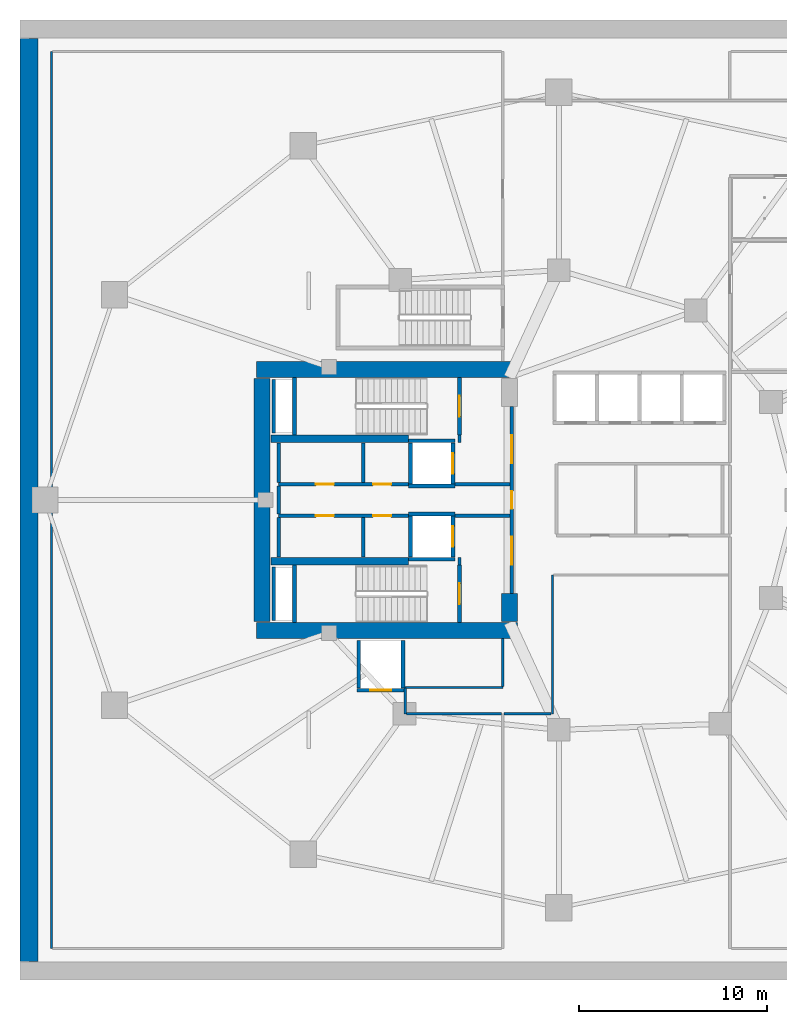
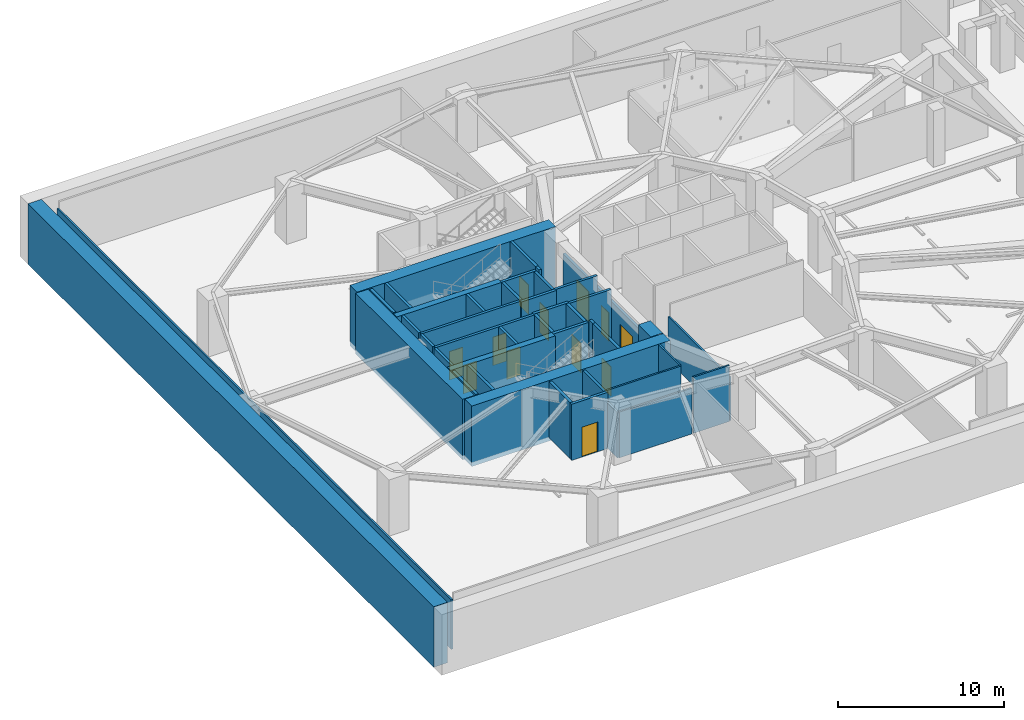
# One storey, part 4 of 16: 43 walls, 12 doors, 12 openings.
"""IFC4 building model written with IfcOpenShell, lengths in metres."""

from ifc_helpers import new_model, si_unit, direction, frame, frame_2d, origin, place, context, subcontext, project, spatial, rectangle, extrude, material, layer, layer_set, type_object, element, fill, save


model = new_model("IFC4")

# Units and contexts
model_context = context("Model", 3, precision=1e-05, world=origin(), true_north=direction((0.0, 1.0)))
body_context = subcontext(model_context, "Body", "Model", "MODEL_VIEW")
ifc_project = project(units=[si_unit("LENGTHUNIT", "METRE"), si_unit("AREAUNIT", "SQUARE_METRE"), si_unit("VOLUMEUNIT", "CUBIC_METRE"), si_unit("PLANEANGLEUNIT", "RADIAN"), si_unit("MASSUNIT", "GRAM", prefix="KILO")], contexts=[model_context])

# Site, building, storey
site_placement = place(None, origin())
site = spatial("IfcSite", under=ifc_project, at=site_placement, CompositionType="ELEMENT")
building_placement = place(site_placement, origin())
building = spatial("IfcBuilding", under=site, at=building_placement, Name="Kolvaren Gate Tower and Convention Centre", CompositionType="ELEMENT")
storey_placement = place(building_placement, frame((0.0, 0.0, -4.5)))
storey = spatial("IfcBuildingStorey", under=building, at=storey_placement, Name="B1", CompositionType="ELEMENT", Elevation=-4.5)

# Walls
ifc_material_1 = material(Name="Autoclaved Aerated Masonry Blockwork Class 4 (4.0 MPa)", Category="masonry")
ifc_layer_1 = layer(ifc_material_1, 0.179931640625)
ifc_layer_set_1 = layer_set([ifc_layer_1], Name="Autoclaved Aerated Masonry Blockwork Class 4 (4.0 MPa)")
wall_type_1 = type_object("IfcWallType", Name="ARCH-WL-COMP-180", PredefinedType="SOLIDWALL", material=ifc_layer_set_1)
for number, where, z_axis, x_axis, name in (
    (1, (24.85009765625, 23.5400390625, 0.0), (0.0, 0.0, 1.0), (0.0, 1.0, 0.0), "Interior Partition WL-B1-INT-001"),
    (2, (24.85009765625, 30.0400390625, 0.0), (0.0, 0.0, 1.0), (0.0, 1.0, 0.0), "Interior Partition WL-B1-INT-002"),
):
    element("IfcWall", number, at=place(storey_placement, frame(where, z_axis=z_axis, x_axis=x_axis)), inside=storey, type_object=wall_type_1, Name=name, PredefinedType="SOLIDWALL", context=body_context, shape_type="SweptSolid", body=[
        extrude(rectangle(XDim=0.419921875, YDim=0.179931640625, at=frame_2d((0.2099609375, 0.0))), origin(), (0.0, 0.0, 1.0), 4.139892578125),
    ])

# Wall, openings, doors
wall_1_placement = place(storey_placement, frame((27.6201171875, 22.050048828125, 0.0), z_axis=(0.0, 0.0, 1.0), x_axis=(0.0, 1.0, 0.0)))
wall_1 = element("IfcWall", 3, at=wall_1_placement, inside=storey, type_object=wall_type_1, Name="Interior Partition WL-B1-INT-003", PredefinedType="SOLIDWALL", context=body_context, shape_type="SweptSolid", body=[
    extrude(rectangle(XDim=9.89990234375, YDim=0.179931640625, at=frame_2d((4.949951171875, 0.0))), origin(), (0.0, 0.0, 1.0), 3.23193359375),
])
opening_1_placement = place(wall_1_placement, frame((4.47509765625, 0.0, 0.0)))
opening_1 = element("IfcOpeningElement", 4, at=opening_1_placement, cuts=wall_1, Name="Opening DR-01", PredefinedType="OPENING", context=body_context, shape_type="SweptSolid", body=[
    extrude(rectangle(XDim=0.949951171875, YDim=2.10009765625, at=frame_2d((0.47509765625, 1.050048828125))), frame((0.0, 0.099853515625, 0.0), z_axis=(0.0, -1.0, 0.0), x_axis=(1.0, 0.0, 0.0)), (0.0, 0.0, 1.0), 0.199951171875),
])
opening_2_placement = place(wall_1_placement, frame((6.889892578125, 0.0, 0.0)))
opening_2 = element("IfcOpeningElement", 5, at=opening_2_placement, cuts=wall_1, Name="Opening DL-01", PredefinedType="OPENING", context=body_context, shape_type="SweptSolid", body=[
    extrude(rectangle(XDim=1.5, YDim=2.199951171875, at=frame_2d((0.75, 1.10009765625))), frame((0.0, 0.099853515625, 0.0), z_axis=(0.0, -1.0, 0.0), x_axis=(1.0, 0.0, 0.0)), (0.0, 0.0, 1.0), 0.199951171875),
])
opening_3_placement = place(wall_1_placement, frame((1.510009765625, 0.0, 0.0)))
opening_3 = element("IfcOpeningElement", 6, at=opening_3_placement, cuts=wall_1, Name="Opening DL-01", PredefinedType="OPENING", context=body_context, shape_type="SweptSolid", body=[
    extrude(rectangle(XDim=1.5, YDim=2.199951171875, at=frame_2d((0.75, 1.10009765625))), frame((0.0, 0.099853515625, 0.0), z_axis=(0.0, -1.0, 0.0), x_axis=(1.0, 0.0, 0.0)), (0.0, 0.0, 1.0), 0.199951171875),
])
ifc_material_2 = material(Name="Painted Architectural Steelwork ASTM A500 Grade C 345 MPa", Category="steel")
door_type_1 = type_object("IfcDoorType", Name="ARCH-DR-LOBBY-1500", OperationType="DOUBLE_DOOR_SINGLE_SWING", PredefinedType="DOOR", material=ifc_material_2)
door_1_placement = place(opening_2_placement, origin())
door_1 = element("IfcDoor", 7, at=door_1_placement, inside=storey, type_object=door_type_1, Name="North Firefighting Stair and Lift Lobby Door", OperationType="DOUBLE_DOOR_SINGLE_SWING", OverallHeight=2.199951171875, OverallWidth=1.5, PredefinedType="DOOR", context=body_context, shape_type="SweptSolid", body=[
    extrude(rectangle(XDim=1.5, YDim=2.199951171875, at=frame_2d((0.75, 1.10009765625))), frame((0.0, 0.02490234375, 0.0), z_axis=(0.0, -1.0, 0.0), x_axis=(1.0, 0.0, 0.0)), (0.0, 0.0, 1.0), 0.050048828125),
])
fill(opening_2, door_1)
door_2_placement = place(opening_3_placement, origin())
door_2 = element("IfcDoor", 8, at=door_2_placement, inside=storey, type_object=door_type_1, Name="South Firefighting Stair and Lift Lobby Door", OperationType="DOUBLE_DOOR_SINGLE_SWING", OverallHeight=2.199951171875, OverallWidth=1.5, PredefinedType="DOOR", context=body_context, shape_type="SweptSolid", body=[
    extrude(rectangle(XDim=1.5, YDim=2.199951171875, at=frame_2d((0.75, 1.10009765625))), frame((0.0, 0.02490234375, 0.0), z_axis=(0.0, -1.0, 0.0), x_axis=(1.0, 0.0, 0.0)), (0.0, 0.0, 1.0), 0.050048828125),
])
fill(opening_3, door_2)
door_type_2 = type_object("IfcDoorType", Name="ARCH-DR-RISER-950", OperationType="SINGLE_SWING_RIGHT", PredefinedType="DOOR", material=ifc_material_2)
door_3_placement = place(opening_1_placement, origin())
door_3 = element("IfcDoor", 9, at=door_3_placement, inside=storey, type_object=door_type_2, Name="Central MEP Service Corridor Door", OperationType="SINGLE_SWING_RIGHT", OverallHeight=2.10009765625, OverallWidth=0.949951171875, PredefinedType="DOOR", context=body_context, shape_type="SweptSolid", body=[
    extrude(rectangle(XDim=0.949951171875, YDim=2.10009765625, at=frame_2d((0.47509765625, 1.050048828125))), frame((0.0, 0.02490234375, 0.0), z_axis=(0.0, -1.0, 0.0), x_axis=(1.0, 0.0, 0.0)), (0.0, 0.0, 1.0), 0.050048828125),
])
fill(opening_1, door_3)

wall_2_placement = place(storey_placement, frame((15.25, 27.840087890625, 0.0), z_axis=(0.0, 0.0, 1.0), x_axis=(1.0, 0.0, 0.0)))
wall_2 = element("IfcWall", 10, at=wall_2_placement, inside=storey, type_object=wall_type_1, Name="Interior Partition WL-B1-INT-004", PredefinedType="SOLIDWALL", context=body_context, shape_type="SweptSolid", body=[
    extrude(rectangle(XDim=6.89990234375, YDim=0.179931640625, at=frame_2d((3.449951171875, 0.0))), origin(), (0.0, 0.0, 1.0), 4.139892578125),
])
opening_4_placement = place(wall_2_placement, frame((5.02001953125, 0.0, 0.0)))
opening_4 = element("IfcOpeningElement", 11, at=opening_4_placement, cuts=wall_2, Name="Opening DR-01", PredefinedType="OPENING", context=body_context, shape_type="SweptSolid", body=[
    extrude(rectangle(XDim=0.949951171875, YDim=2.10009765625, at=frame_2d((0.47509765625, 1.050048828125))), frame((0.0, 0.099853515625, 0.0), z_axis=(0.0, -1.0, 0.0), x_axis=(1.0, 0.0, 0.0)), (0.0, 0.0, 1.0), 0.199951171875),
])
opening_5_placement = place(wall_2_placement, frame((1.97998046875, 0.0, 0.0)))
opening_5 = element("IfcOpeningElement", 12, at=opening_5_placement, cuts=wall_2, Name="Opening DR-01", PredefinedType="OPENING", context=body_context, shape_type="SweptSolid", body=[
    extrude(rectangle(XDim=0.949951171875, YDim=2.10009765625, at=frame_2d((0.47509765625, 1.050048828125))), frame((0.0, 0.099853515625, 0.0), z_axis=(0.0, -1.0, 0.0), x_axis=(1.0, 0.0, 0.0)), (0.0, 0.0, 1.0), 0.199951171875),
])
door_4_placement = place(opening_4_placement, origin())
door_4 = element("IfcDoor", 13, at=door_4_placement, inside=storey, type_object=door_type_2, Name="Electrical Switchgear Closet Door", OperationType="SINGLE_SWING_LEFT", OverallHeight=2.10009765625, OverallWidth=0.949951171875, PredefinedType="DOOR", context=body_context, shape_type="SweptSolid", body=[
    extrude(rectangle(XDim=0.949951171875, YDim=2.10009765625, at=frame_2d((0.47509765625, 1.050048828125))), frame((0.0, 0.02490234375, 0.0), z_axis=(0.0, -1.0, 0.0), x_axis=(1.0, 0.0, 0.0)), (0.0, 0.0, 1.0), 0.050048828125),
])
fill(opening_4, door_4)
door_5_placement = place(opening_5_placement, origin())
door_5 = element("IfcDoor", 14, at=door_5_placement, inside=storey, type_object=door_type_2, Name="Telecom Distribution Closet Door", OperationType="SINGLE_SWING_LEFT", OverallHeight=2.10009765625, OverallWidth=0.949951171875, PredefinedType="DOOR", context=body_context, shape_type="SweptSolid", body=[
    extrude(rectangle(XDim=0.949951171875, YDim=2.10009765625, at=frame_2d((0.47509765625, 1.050048828125))), frame((0.0, 0.02490234375, 0.0), z_axis=(0.0, -1.0, 0.0), x_axis=(1.0, 0.0, 0.0)), (0.0, 0.0, 1.0), 0.050048828125),
])
fill(opening_5, door_5)

# Wall
wall_3_placement = place(storey_placement, frame((24.60009765625, 27.840087890625, 0.0), z_axis=(0.0, 0.0, 1.0), x_axis=(1.0, 0.0, 0.0)))
element("IfcWall", 15, at=wall_3_placement, inside=storey, type_object=wall_type_1, Name="Interior Partition WL-B1-INT-004 (2)", PredefinedType="SOLIDWALL", context=body_context, shape_type="SweptSolid", body=[
    extrude(rectangle(XDim=2.927978515625, YDim=0.179931640625, at=frame_2d((1.4638671875, 0.0))), origin(), (0.0, 0.0, 1.0), 4.139892578125),
])

# Wall, openings, doors
wall_4_placement = place(storey_placement, frame((15.25, 26.159912109375, 0.0), z_axis=(0.0, 0.0, 1.0), x_axis=(1.0, 0.0, 0.0)))
wall_4 = element("IfcWall", 16, at=wall_4_placement, inside=storey, type_object=wall_type_1, Name="Interior Partition WL-B1-INT-005", PredefinedType="SOLIDWALL", context=body_context, shape_type="SweptSolid", body=[
    extrude(rectangle(XDim=6.89990234375, YDim=0.179931640625, at=frame_2d((3.449951171875, 0.0))), origin(), (0.0, 0.0, 1.0), 4.139892578125),
])
opening_6_placement = place(wall_4_placement, frame((5.02001953125, 0.0, 0.0)))
opening_6 = element("IfcOpeningElement", 17, at=opening_6_placement, cuts=wall_4, Name="Opening DR-01", PredefinedType="OPENING", context=body_context, shape_type="SweptSolid", body=[
    extrude(rectangle(XDim=0.949951171875, YDim=2.10009765625, at=frame_2d((0.47509765625, 1.050048828125))), frame((0.0, 0.099853515625, 0.0), z_axis=(0.0, -1.0, 0.0), x_axis=(1.0, 0.0, 0.0)), (0.0, 0.0, 1.0), 0.199951171875),
])
opening_7_placement = place(wall_4_placement, frame((1.97998046875, 0.0, 0.0)))
opening_7 = element("IfcOpeningElement", 18, at=opening_7_placement, cuts=wall_4, Name="Opening DR-01", PredefinedType="OPENING", context=body_context, shape_type="SweptSolid", body=[
    extrude(rectangle(XDim=0.949951171875, YDim=2.10009765625, at=frame_2d((0.47509765625, 1.050048828125))), frame((0.0, 0.099853515625, 0.0), z_axis=(0.0, -1.0, 0.0), x_axis=(1.0, 0.0, 0.0)), (0.0, 0.0, 1.0), 0.199951171875),
])
door_6_placement = place(opening_6_placement, origin())
door_6 = element("IfcDoor", 19, at=door_6_placement, inside=storey, type_object=door_type_2, Name="Domestic Water Meter Closet Door", OperationType="SINGLE_SWING_RIGHT", OverallHeight=2.10009765625, OverallWidth=0.949951171875, PredefinedType="DOOR", context=body_context, shape_type="SweptSolid", body=[
    extrude(rectangle(XDim=0.949951171875, YDim=2.10009765625, at=frame_2d((0.47509765625, 1.050048828125))), frame((0.0, 0.02490234375, 0.0), z_axis=(0.0, -1.0, 0.0), x_axis=(1.0, 0.0, 0.0)), (0.0, 0.0, 1.0), 0.050048828125),
])
fill(opening_6, door_6)
door_7_placement = place(opening_7_placement, origin())
door_7 = element("IfcDoor", 20, at=door_7_placement, inside=storey, type_object=door_type_2, Name="Smoke Damper Control Closet Door", OperationType="SINGLE_SWING_RIGHT", OverallHeight=2.10009765625, OverallWidth=0.949951171875, PredefinedType="DOOR", context=body_context, shape_type="SweptSolid", body=[
    extrude(rectangle(XDim=0.949951171875, YDim=2.10009765625, at=frame_2d((0.47509765625, 1.050048828125))), frame((0.0, 0.02490234375, 0.0), z_axis=(0.0, -1.0, 0.0), x_axis=(1.0, 0.0, 0.0)), (0.0, 0.0, 1.0), 0.050048828125),
])
fill(opening_7, door_7)

# Walls
wall_5_placement = place(storey_placement, frame((24.60009765625, 26.159912109375, 0.0), z_axis=(0.0, 0.0, 1.0), x_axis=(1.0, 0.0, 0.0)))
element("IfcWall", 21, at=wall_5_placement, inside=storey, type_object=wall_type_1, Name="Interior Partition WL-B1-INT-005 (2)", PredefinedType="SOLIDWALL", context=body_context, shape_type="SweptSolid", body=[
    extrude(rectangle(XDim=2.927978515625, YDim=0.179931640625, at=frame_2d((1.4638671875, 0.0))), origin(), (0.0, 0.0, 1.0), 4.139892578125),
])
wall_6_placement = place(storey_placement, frame((15.25, 23.9619140625, 0.0), z_axis=(0.0, 0.0, 1.0), x_axis=(0.0, 1.0, 0.0)))
element("IfcWall", 22, at=wall_6_placement, inside=storey, type_object=wall_type_1, Name="Interior Partition WL-B1-INT-006", PredefinedType="SOLIDWALL", context=body_context, shape_type="SweptSolid", body=[
    extrude(rectangle(XDim=2.106201171875, YDim=0.179931640625, at=frame_2d((1.05322265625, 0.0))), origin(), (0.0, 0.0, 1.0), 4.139892578125),
])
wall_7_placement = place(storey_placement, frame((15.25, 26.251953125, 0.0), z_axis=(0.0, 0.0, 1.0), x_axis=(0.0, 1.0, 0.0)))
element("IfcWall", 23, at=wall_7_placement, inside=storey, type_object=wall_type_1, Name="Interior Partition WL-B1-INT-006 (2)", PredefinedType="SOLIDWALL", context=body_context, shape_type="SweptSolid", body=[
    extrude(rectangle(XDim=1.49609375, YDim=0.179931640625, at=frame_2d((0.748046875, 0.0))), origin(), (0.0, 0.0, 1.0), 4.139892578125),
])
for number, where, z_axis, x_axis, name in (
    (24, (15.25, 27.931884765625, 0.0), (0.0, 0.0, 1.0), (0.0, 1.0, 0.0), "Interior Partition WL-B1-INT-006 (3)"),
    (25, (19.75, 23.9619140625, 0.0), (0.0, 0.0, 1.0), (0.0, 1.0, 0.0), "Interior Partition WL-B1-INT-007"),
    (26, (19.75, 27.931884765625, 0.0), (0.0, 0.0, 1.0), (0.0, 1.0, 0.0), "Interior Partition WL-B1-INT-008"),
):
    element("IfcWall", number, at=place(storey_placement, frame(where, z_axis=z_axis, x_axis=x_axis)), inside=storey, type_object=wall_type_1, Name=name, PredefinedType="SOLIDWALL", context=body_context, shape_type="SweptSolid", body=[
        extrude(rectangle(XDim=2.106201171875, YDim=0.179931640625, at=frame_2d((1.05322265625, 0.0))), origin(), (0.0, 0.0, 1.0), 4.139892578125),
    ])
ifc_material_3 = material(Name="Fire-Rated Acoustic Gypsum Stud Partition", Category="gypsum")
ifc_layer_2 = layer(ifc_material_3, 0.1201171875)
ifc_layer_set_2 = layer_set([ifc_layer_2], Name="Fire-Rated Acoustic Gypsum Stud Partition")
wall_type_2 = type_object("IfcWallType", Name="ARCH-WL-PART-120", PredefinedType="PARTITIONING", material=ifc_layer_set_2)
wall_8_placement = place(storey_placement, frame((21.969970703125, 15.64990234375, 0.0), z_axis=(0.0, 0.0, 1.0), x_axis=(0.0, 1.0, 0.0)))
element("IfcWall", 27, at=wall_8_placement, inside=storey, type_object=wall_type_2, Name="Interior Partition WL-B1-INT-014", PredefinedType="PARTITIONING", context=body_context, shape_type="SweptSolid", body=[
    extrude(rectangle(XDim=1.360107421875, YDim=0.1201171875, at=frame_2d((0.68017578125, 0.0))), origin(), (0.0, 0.0, 1.0), 3.3740234375),
])
wall_9_placement = place(storey_placement, frame((21.969970703125, 17.050048828125, 0.0), z_axis=(0.0, 0.0, 1.0), x_axis=(1.0, 0.0, 0.0)))
element("IfcWall", 28, at=wall_9_placement, inside=storey, type_object=wall_type_2, Name="Interior Partition WL-B1-INT-015", PredefinedType="PARTITIONING", context=body_context, shape_type="SweptSolid", body=[
    extrude(rectangle(XDim=5.179931640625, YDim=0.1201171875, at=frame_2d((2.58984375, 0.0))), origin(), (0.0, 0.0, 1.0), 4.139892578125),
])
wall_10_placement = place(storey_placement, frame((27.14990234375, 17.112060546875, 0.0), z_axis=(0.0, 0.0, 1.0), x_axis=(0.0, 1.0, 0.0)))
element("IfcWall", 29, at=wall_10_placement, inside=storey, type_object=wall_type_2, Name="Interior Partition WL-B1-INT-017", PredefinedType="PARTITIONING", context=body_context, shape_type="SweptSolid", body=[
    extrude(rectangle(XDim=2.535888671875, YDim=0.1201171875, at=frame_2d((1.26806640625, 0.0))), origin(), (0.0, 0.0, 1.0), 4.139892578125),
])
wall_11_placement = place(storey_placement, frame((29.780029296875, 15.64990234375, 0.0), z_axis=(0.0, 0.0, 1.0), x_axis=(0.0, 1.0, 0.0)))
element("IfcWall", 30, at=wall_11_placement, inside=storey, type_object=wall_type_2, Name="Interior Partition WL-B1-INT-025", PredefinedType="PARTITIONING", context=body_context, shape_type="SweptSolid", body=[
    extrude(rectangle(XDim=7.3701171875, YDim=0.1201171875, at=frame_2d((3.68505859375, 0.0))), origin(), (0.0, 0.0, 1.0), 3.23193359375),
])
wall_12_placement = place(storey_placement, frame((22.031982421875, 15.64990234375, 0.0), z_axis=(0.0, 0.0, 1.0), x_axis=(1.0, 0.0, 0.0)))
element("IfcWall", 31, at=wall_12_placement, inside=storey, type_object=wall_type_2, Name="Interior Partition WL-B1-INT-027", PredefinedType="PARTITIONING", context=body_context, shape_type="SweptSolid", body=[
    extrude(rectangle(XDim=5.055908203125, YDim=0.1201171875, at=frame_2d((2.52783203125, 0.0))), origin(), (0.0, 0.0, 1.0), 3.3740234375),
])
wall_13_placement = place(storey_placement, frame((27.2119140625, 15.64990234375, 0.0), z_axis=(0.0, 0.0, 1.0), x_axis=(1.0, 0.0, 0.0)))
element("IfcWall", 32, at=wall_13_placement, inside=storey, type_object=wall_type_2, Name="Interior Partition WL-B1-INT-027 (2)", PredefinedType="PARTITIONING", context=body_context, shape_type="SweptSolid", body=[
    extrude(rectangle(XDim=2.506103515625, YDim=0.1201171875, at=frame_2d((1.2529296875, 0.0))), origin(), (0.0, 0.0, 1.0), 4.139892578125),
])
wall_14_placement = place(storey_placement, frame((3.199951171875, 3.199951171875, 0.0), z_axis=(0.0, 0.0, 1.0), x_axis=(0.0, 1.0, 0.0)))
element("IfcWall", 33, at=wall_14_placement, inside=storey, type_object=wall_type_2, Name="Interior Partition WL-B1-INT-028", PredefinedType="PARTITIONING", context=body_context, shape_type="SweptSolid", body=[
    extrude(rectangle(XDim=47.60009765625, YDim=0.1201171875, at=frame_2d((23.800048828125, 0.0))), origin(), (0.0, 0.0, 1.0), 3.6630859375),
])
ifc_layer_3 = layer(ifc_material_1, 0.199951171875)
ifc_layer_set_3 = layer_set([ifc_layer_3], Name="Autoclaved Aerated Masonry Blockwork Class 4 (4.0 MPa)")
wall_type_3 = type_object("IfcWallType", Name="ARCH-WL-SHAFT-200", PredefinedType="SOLIDWALL", material=ifc_layer_set_3)
for number, where, z_axis, x_axis, name in (
    (34, (22.14990234375, 30.139892578125, 0.0), (0.0, 0.0, 1.0), (1.0, 0.0, 0.0), "Elevator FF-01 B1 Fire Shaft Wall N"),
    (35, (22.14990234375, 27.739990234375, 0.0), (0.0, 0.0, 1.0), (1.0, 0.0, 0.0), "Elevator FF-01 B1 Fire Shaft Wall S"),
):
    element("IfcWall", number, at=place(storey_placement, frame(where, z_axis=z_axis, x_axis=x_axis)), inside=storey, type_object=wall_type_3, Name=name, PredefinedType="SOLIDWALL", context=body_context, shape_type="SweptSolid", body=[
        extrude(rectangle(XDim=2.4501953125, YDim=0.199951171875, at=frame_2d((1.22509765625, 0.0))), origin(), (0.0, 0.0, 1.0), 4.139892578125),
    ])
wall_15_placement = place(storey_placement, frame((22.25, 27.85009765625, 0.0), z_axis=(0.0, 0.0, 1.0), x_axis=(0.0, 1.0, 0.0)))
element("IfcWall", 36, at=wall_15_placement, inside=storey, type_object=wall_type_3, Name="Elevator FF-01 B1 Fire Shaft Wall W", PredefinedType="SOLIDWALL", context=body_context, shape_type="SweptSolid", body=[
    extrude(rectangle(XDim=2.179931640625, YDim=0.199951171875, at=frame_2d((1.08984375, 0.0))), origin(), (0.0, 0.0, 1.0), 4.139892578125),
])

# Wall, opening, door
wall_16_placement = place(storey_placement, frame((24.5, 27.85009765625, 0.0), z_axis=(0.0, 0.0, 1.0), x_axis=(0.0, 1.0, 0.0)))
wall_16 = element("IfcWall", 37, at=wall_16_placement, inside=storey, type_object=wall_type_3, Name="Elevator FF-01 B1 Fire Shaft Wall E", PredefinedType="SOLIDWALL", context=body_context, shape_type="SweptSolid", body=[
    extrude(rectangle(XDim=2.179931640625, YDim=0.199951171875, at=frame_2d((1.08984375, 0.0))), origin(), (0.0, 0.0, 1.0), 4.139892578125),
])
opening_8_placement = place(wall_16_placement, frame((0.5400390625, 0.0, 0.0)))
opening_8 = element("IfcOpeningElement", 38, at=opening_8_placement, cuts=wall_16, Name="Opening LD", PredefinedType="OPENING", context=body_context, shape_type="SweptSolid", body=[
    extrude(rectangle(XDim=1.10009765625, YDim=2.199951171875, at=frame_2d((0.550048828125, 1.10009765625))), frame((0.0, 0.10986328125, 0.0), z_axis=(0.0, -1.0, 0.0), x_axis=(1.0, 0.0, 0.0)), (0.0, 0.0, 1.0), 0.219970703125),
])
ifc_material_4 = material(Name="Brushed Stainless Steel Grade 316L", Category="steel")
door_type_3 = type_object("IfcDoorType", Name="ARCH-DR-LIFT-1100", OperationType="SLIDING_TO_LEFT", PredefinedType="DOOR", material=ifc_material_4)
door_8_placement = place(opening_8_placement, origin())
door_8 = element("IfcDoor", 39, at=door_8_placement, inside=storey, type_object=door_type_3, Name="Elevator FF-01 B1 Sliding Landing Door", OperationType="SLIDING_TO_LEFT", OverallHeight=2.199951171875, OverallWidth=1.10009765625, PredefinedType="DOOR", context=body_context, shape_type="SweptSolid", body=[
    extrude(rectangle(XDim=1.10009765625, YDim=2.199951171875, at=frame_2d((0.550048828125, 1.10009765625))), frame((0.0, 0.02490234375, 0.0), z_axis=(0.0, -1.0, 0.0), x_axis=(1.0, 0.0, 0.0)), (0.0, 0.0, 1.0), 0.050048828125),
])
fill(opening_8, door_8)

# Walls
for number, where, z_axis, x_axis, name in (
    (40, (22.14990234375, 26.260009765625, 0.0), (0.0, 0.0, 1.0), (1.0, 0.0, 0.0), "Elevator FF-02 B1 Fire Shaft Wall N"),
    (41, (22.14990234375, 23.860107421875, 0.0), (0.0, 0.0, 1.0), (1.0, 0.0, 0.0), "Elevator FF-02 B1 Fire Shaft Wall S"),
):
    element("IfcWall", number, at=place(storey_placement, frame(where, z_axis=z_axis, x_axis=x_axis)), inside=storey, type_object=wall_type_3, Name=name, PredefinedType="SOLIDWALL", context=body_context, shape_type="SweptSolid", body=[
        extrude(rectangle(XDim=2.4501953125, YDim=0.199951171875, at=frame_2d((1.22509765625, 0.0))), origin(), (0.0, 0.0, 1.0), 4.139892578125),
    ])
wall_17_placement = place(storey_placement, frame((22.25, 23.969970703125, 0.0), z_axis=(0.0, 0.0, 1.0), x_axis=(0.0, 1.0, 0.0)))
element("IfcWall", 42, at=wall_17_placement, inside=storey, type_object=wall_type_3, Name="Elevator FF-02 B1 Fire Shaft Wall W", PredefinedType="SOLIDWALL", context=body_context, shape_type="SweptSolid", body=[
    extrude(rectangle(XDim=2.179931640625, YDim=0.199951171875, at=frame_2d((1.08984375, 0.0))), origin(), (0.0, 0.0, 1.0), 4.139892578125),
])

# Wall, opening, door
wall_18_placement = place(storey_placement, frame((24.5, 23.969970703125, 0.0), z_axis=(0.0, 0.0, 1.0), x_axis=(0.0, 1.0, 0.0)))
wall_18 = element("IfcWall", 43, at=wall_18_placement, inside=storey, type_object=wall_type_3, Name="Elevator FF-02 B1 Fire Shaft Wall E", PredefinedType="SOLIDWALL", context=body_context, shape_type="SweptSolid", body=[
    extrude(rectangle(XDim=2.179931640625, YDim=0.199951171875, at=frame_2d((1.08984375, 0.0))), origin(), (0.0, 0.0, 1.0), 4.139892578125),
])
opening_9_placement = place(wall_18_placement, frame((0.5400390625, 0.0, 0.0)))
opening_9 = element("IfcOpeningElement", 44, at=opening_9_placement, cuts=wall_18, Name="Opening LD", PredefinedType="OPENING", context=body_context, shape_type="SweptSolid", body=[
    extrude(rectangle(XDim=1.10009765625, YDim=2.199951171875, at=frame_2d((0.550048828125, 1.10009765625))), frame((0.0, 0.10986328125, 0.0), z_axis=(0.0, -1.0, 0.0), x_axis=(1.0, 0.0, 0.0)), (0.0, 0.0, 1.0), 0.219970703125),
])
door_9_placement = place(opening_9_placement, origin())
door_9 = element("IfcDoor", 45, at=door_9_placement, inside=storey, type_object=door_type_3, Name="Elevator FF-02 B1 Sliding Landing Door", OperationType="SLIDING_TO_LEFT", OverallHeight=2.199951171875, OverallWidth=1.10009765625, PredefinedType="DOOR", context=body_context, shape_type="SweptSolid", body=[
    extrude(rectangle(XDim=1.10009765625, YDim=2.199951171875, at=frame_2d((0.550048828125, 1.10009765625))), frame((0.0, 0.02490234375, 0.0), z_axis=(0.0, -1.0, 0.0), x_axis=(1.0, 0.0, 0.0)), (0.0, 0.0, 1.0), 0.050048828125),
])
fill(opening_9, door_9)

wall_19_placement = place(storey_placement, frame((19.39990234375, 16.89990234375, 0.0), z_axis=(0.0, 0.0, 1.0), x_axis=(1.0, 0.0, 0.0)))
wall_19 = element("IfcWall", 46, at=wall_19_placement, inside=storey, type_object=wall_type_3, Name="Elevator SV-01 B1 Fire Shaft Wall S", PredefinedType="SOLIDWALL", context=body_context, shape_type="SweptSolid", body=[
    extrude(rectangle(XDim=2.550048828125, YDim=0.199951171875, at=frame_2d((1.27490234375, 0.0))), origin(), (0.0, 0.0, 1.0), 4.139892578125),
])
opening_10_placement = place(wall_19_placement, frame((0.72509765625, 0.0, 0.0)))
opening_10 = element("IfcOpeningElement", 47, at=opening_10_placement, cuts=wall_19, Name="Opening LD", PredefinedType="OPENING", context=body_context, shape_type="SweptSolid", body=[
    extrude(rectangle(XDim=1.10009765625, YDim=2.199951171875, at=frame_2d((0.550048828125, 1.10009765625))), frame((0.0, 0.10986328125, 0.0), z_axis=(0.0, -1.0, 0.0), x_axis=(1.0, 0.0, 0.0)), (0.0, 0.0, 1.0), 0.219970703125),
])
door_10_placement = place(opening_10_placement, origin())
door_10 = element("IfcDoor", 48, at=door_10_placement, inside=storey, type_object=door_type_3, Name="Elevator SV-01 B1 Sliding Landing Door", OperationType="SLIDING_TO_LEFT", OverallHeight=2.199951171875, OverallWidth=1.10009765625, PredefinedType="DOOR", context=body_context, shape_type="SweptSolid", body=[
    extrude(rectangle(XDim=1.10009765625, YDim=2.199951171875, at=frame_2d((0.550048828125, 1.10009765625))), frame((0.0, 0.02490234375, 0.0), z_axis=(0.0, -1.0, 0.0), x_axis=(1.0, 0.0, 0.0)), (0.0, 0.0, 1.0), 0.050048828125),
])
fill(opening_10, door_10)

# Walls
for number, where, z_axis, x_axis, name in (
    (49, (19.5, 17.010009765625, 0.0), (0.0, 0.0, 1.0), (0.0, 1.0, 0.0), "Elevator SV-01 B1 Fire Shaft Wall W"),
    (50, (21.85009765625, 17.010009765625, 0.0), (0.0, 0.0, 1.0), (0.0, 1.0, 0.0), "Elevator SV-01 B1 Fire Shaft Wall E"),
):
    element("IfcWall", number, at=place(storey_placement, frame(where, z_axis=z_axis, x_axis=x_axis)), inside=storey, type_object=wall_type_3, Name=name, PredefinedType="SOLIDWALL", context=body_context, shape_type="SweptSolid", body=[
        extrude(rectangle(XDim=2.530029296875, YDim=0.199951171875, at=frame_2d((1.26513671875, 0.0))), origin(), (0.0, 0.0, 1.0), 4.139892578125),
    ])
for number, where, z_axis, x_axis, name in (
    (51, (14.989990234375, 30.550048828125, 0.0), (0.0, 0.0, 1.0), (0.0, 1.0, 0.0), "Vertical Shaft HVR B1 EI-120 Enclosure Wall W"),
    (52, (14.989990234375, 20.60009765625, 0.0), (0.0, 0.0, 1.0), (0.0, 1.0, 0.0), "Vertical Shaft MPR B1 EI-120 Enclosure Wall W"),
):
    element("IfcWall", number, at=place(storey_placement, frame(where, z_axis=z_axis, x_axis=x_axis)), inside=storey, type_object=wall_type_3, Name=name, PredefinedType="SOLIDWALL", context=body_context, shape_type="SweptSolid", body=[
        extrude(rectangle(XDim=2.849853515625, YDim=0.199951171875, at=frame_2d((1.4248046875, 0.0))), origin(), (0.0, 0.0, 1.0), 4.139892578125),
    ])
ifc_material_5 = material(Name="Concrete C50/60", Category="concrete")
ifc_layer_4 = layer(ifc_material_5, 0.419921875)
ifc_layer_set_4 = layer_set([ifc_layer_4], Name="Concrete C50/60")
wall_type_4 = type_object("IfcWallType", Name="STR-WL-CONV-420", PredefinedType="SHEAR", material=ifc_layer_set_4)
for number, where, z_axis, x_axis, name in (
    (53, (14.85009765625, 30.25, -0.320068359375), (0.0, 0.0, 1.0), (1.0, 0.0, 0.0), "Tower B1 Offset Core Shear Wall WN"),
    (54, (14.85009765625, 23.75, -0.320068359375), (0.0, 0.0, 1.0), (1.0, 0.0, 0.0), "Tower B1 Offset Core Shear Wall WS"),
):
    element("IfcWall", number, at=place(storey_placement, frame(where, z_axis=z_axis, x_axis=x_axis)), inside=storey, type_object=wall_type_4, Name=name, PredefinedType="SHEAR", context=body_context, shape_type="SweptSolid", body=[
        extrude(rectangle(XDim=7.2998046875, YDim=0.419921875, at=frame_2d((3.64990234375, 0.0))), origin(), (0.0, 0.0, 1.0), 4.4599609375),
    ])
ifc_material_6 = material(Name="Concrete C70/85", Category="concrete")
ifc_layer_5 = layer(ifc_material_6, 0.85009765625)
ifc_layer_set_5 = layer_set([ifc_layer_5], Name="Concrete C70/85")
wall_type_5 = type_object("IfcWallType", Name="STR-WL-CORE-850", PredefinedType="SHEAR", material=ifc_layer_set_5)
for number, where, z_axis, x_axis, name in (
    (55, (14.074951171875, 33.925048828125, -0.320068359375), (0.0, 0.0, 1.0), (1.0, 0.0, 0.0), "Tower B1 Offset Core Shear Wall N"),
    (56, (14.074951171875, 20.074951171875, -0.320068359375), (0.0, 0.0, 1.0), (1.0, 0.0, 0.0), "Tower B1 Offset Core Shear Wall S"),
):
    element("IfcWall", number, at=place(storey_placement, frame(where, z_axis=z_axis, x_axis=x_axis)), inside=storey, type_object=wall_type_5, Name=name, PredefinedType="SHEAR", context=body_context, shape_type="SweptSolid", body=[
        extrude(rectangle(XDim=13.85009765625, YDim=0.85009765625, at=frame_2d((6.925048828125, 0.0))), origin(), (0.0, 0.0, 1.0), 4.4599609375),
    ])
wall_20_placement = place(storey_placement, frame((14.375, 20.550048828125, -0.320068359375), z_axis=(0.0, 0.0, 1.0), x_axis=(0.0, 1.0, 0.0)))
element("IfcWall", 57, at=wall_20_placement, inside=storey, type_object=wall_type_5, Name="Tower B1 Offset Core Shear Wall W", PredefinedType="SHEAR", context=body_context, shape_type="SweptSolid", body=[
    extrude(rectangle(XDim=12.89990234375, YDim=0.85009765625, at=frame_2d((6.449951171875, 0.0))), origin(), (0.0, 0.0, 1.0), 4.4599609375),
])
wall_21_placement = place(storey_placement, frame((27.5, 20.550048828125, -0.320068359375), z_axis=(0.0, 0.0, 1.0), x_axis=(0.0, 1.0, 0.0)))
element("IfcWall", 58, at=wall_21_placement, inside=storey, type_object=wall_type_5, Name="Tower B1 Offset Core Shear Wall ES", PredefinedType="SHEAR", context=body_context, shape_type="SweptSolid", body=[
    extrude(rectangle(XDim=1.5, YDim=0.85009765625, at=frame_2d((0.75, 0.0))), origin(), (0.0, 0.0, 1.0), 4.4599609375),
])
ifc_layer_6 = layer(ifc_material_5, 0.949951171875)
ifc_layer_set_6 = layer_set([ifc_layer_6], Name="Concrete C50/60")
wall_type_6 = type_object("IfcWallType", Name="STR-WL-DIAPH-950", PredefinedType="USERDEFINED", material=ifc_layer_set_6)
wall_22_placement = place(storey_placement, frame((2.0, 2.4951171875, -0.320068359375), z_axis=(0.0, 0.0, 1.0), x_axis=(0.0, 1.0, 0.0)))
element("IfcWall", 59, at=wall_22_placement, inside=storey, type_object=wall_type_6, Name="Basement B1 W Perimeter Diaphragm Wall", ObjectType="RETAINING WALL", PredefinedType="USERDEFINED", context=body_context, shape_type="SweptSolid", body=[
    extrude(rectangle(XDim=49.009765625, YDim=0.949951171875, at=frame_2d((24.5048828125, 0.0))), origin(), (0.0, 0.0, 1.0), 4.4599609375),
])

# Wall, opening, door
ifc_layer_7 = layer(ifc_material_5, 0.199951171875)
ifc_layer_set_7 = layer_set([ifc_layer_7], Name="Concrete C50/60")
wall_type_7 = type_object("IfcWallType", Name="STR-WL-SHAFT-200", PredefinedType="SHEAR", material=ifc_layer_set_7)
wall_23_placement = place(storey_placement, frame((24.85009765625, 30.4599609375, -0.320068359375), z_axis=(0.0, 0.0, 1.0), x_axis=(0.0, 1.0, 0.0)))
wall_23 = element("IfcWall", 60, at=wall_23_placement, inside=storey, type_object=wall_type_7, Name="Tower North Exit Stair ST-T1 B1 Structural Shear Enclosure Wall NEAR", PredefinedType="SHEAR", context=body_context, shape_type="SweptSolid", body=[
    extrude(rectangle(XDim=3.0380859375, YDim=0.199951171875, at=frame_2d((1.51904296875, 0.0))), origin(), (0.0, 0.0, 1.0), 4.4599609375),
])
opening_11_placement = place(wall_23_placement, frame((0.968994140625, 0.0, 0.320068359375)))
opening_11 = element("IfcOpeningElement", 61, at=opening_11_placement, cuts=wall_23, Name="Opening DS-01", PredefinedType="OPENING", context=body_context, shape_type="SweptSolid", body=[
    extrude(rectangle(XDim=1.10009765625, YDim=2.14990234375, at=frame_2d((0.550048828125, 1.074951171875))), frame((0.0, 0.10986328125, 0.0), z_axis=(0.0, -1.0, 0.0), x_axis=(1.0, 0.0, 0.0)), (0.0, 0.0, 1.0), 0.219970703125),
])
door_type_4 = type_object("IfcDoorType", Name="ARCH-DR-STAIR-1100", OperationType="SINGLE_SWING_LEFT", PredefinedType="DOOR", material=ifc_material_2)
door_11_placement = place(opening_11_placement, origin())
door_11 = element("IfcDoor", 62, at=door_11_placement, inside=storey, type_object=door_type_4, Name="Tower North Exit Stair ST-T1 B1 Fire Exit Stair Door", OperationType="SINGLE_SWING_LEFT", OverallHeight=2.14990234375, OverallWidth=1.10009765625, PredefinedType="DOOR", context=body_context, shape_type="SweptSolid", body=[
    extrude(rectangle(XDim=1.10009765625, YDim=2.14990234375, at=frame_2d((0.550048828125, 1.074951171875))), frame((0.0, 0.02490234375, 0.0), z_axis=(0.0, -1.0, 0.0), x_axis=(1.0, 0.0, 0.0)), (0.0, 0.0, 1.0), 0.050048828125),
])
fill(opening_11, door_11)

# Wall
wall_24_placement = place(storey_placement, frame((16.10009765625, 30.4619140625, -0.320068359375), z_axis=(0.0, 0.0, 1.0), x_axis=(0.0, 1.0, 0.0)))
element("IfcWall", 63, at=wall_24_placement, inside=storey, type_object=wall_type_7, Name="Tower North Exit Stair ST-T1 B1 Structural Shear Enclosure Wall FAR", PredefinedType="SHEAR", context=body_context, shape_type="SweptSolid", body=[
    extrude(rectangle(XDim=3.0361328125, YDim=0.199951171875, at=frame_2d((1.51806640625, 0.0))), origin(), (0.0, 0.0, 1.0), 4.4599609375),
])

# Wall, opening, door
wall_25_placement = place(storey_placement, frame((24.85009765625, 20.501953125, -0.320068359375), z_axis=(0.0, 0.0, 1.0), x_axis=(0.0, 1.0, 0.0)))
wall_25 = element("IfcWall", 64, at=wall_25_placement, inside=storey, type_object=wall_type_7, Name="Tower South Exit Stair ST-T2 B1 Structural Shear Enclosure Wall NEAR", PredefinedType="SHEAR", context=body_context, shape_type="SweptSolid", body=[
    extrude(rectangle(XDim=3.0380859375, YDim=0.199951171875, at=frame_2d((1.51904296875, 0.0))), origin(), (0.0, 0.0, 1.0), 4.4599609375),
])
opening_12_placement = place(wall_25_placement, frame((0.968994140625, 0.0, 0.320068359375)))
opening_12 = element("IfcOpeningElement", 65, at=opening_12_placement, cuts=wall_25, Name="Opening DS-01", PredefinedType="OPENING", context=body_context, shape_type="SweptSolid", body=[
    extrude(rectangle(XDim=1.10009765625, YDim=2.14990234375, at=frame_2d((0.550048828125, 1.074951171875))), frame((0.0, 0.10986328125, 0.0), z_axis=(0.0, -1.0, 0.0), x_axis=(1.0, 0.0, 0.0)), (0.0, 0.0, 1.0), 0.219970703125),
])
door_12_placement = place(opening_12_placement, origin())
door_12 = element("IfcDoor", 66, at=door_12_placement, inside=storey, type_object=door_type_4, Name="Tower South Exit Stair ST-T2 B1 Fire Exit Stair Door", OperationType="SINGLE_SWING_LEFT", OverallHeight=2.14990234375, OverallWidth=1.10009765625, PredefinedType="DOOR", context=body_context, shape_type="SweptSolid", body=[
    extrude(rectangle(XDim=1.10009765625, YDim=2.14990234375, at=frame_2d((0.550048828125, 1.074951171875))), frame((0.0, 0.02490234375, 0.0), z_axis=(0.0, -1.0, 0.0), x_axis=(1.0, 0.0, 0.0)), (0.0, 0.0, 1.0), 0.050048828125),
])
fill(opening_12, door_12)

# Wall
wall_26_placement = place(storey_placement, frame((16.10009765625, 20.501953125, -0.320068359375), z_axis=(0.0, 0.0, 1.0), x_axis=(0.0, 1.0, 0.0)))
element("IfcWall", 67, at=wall_26_placement, inside=storey, type_object=wall_type_7, Name="Tower South Exit Stair ST-T2 B1 Structural Shear Enclosure Wall FAR", PredefinedType="SHEAR", context=body_context, shape_type="SweptSolid", body=[
    extrude(rectangle(XDim=3.0361328125, YDim=0.199951171875, at=frame_2d((1.51806640625, 0.0))), origin(), (0.0, 0.0, 1.0), 4.4599609375),
])

save(model, "model.ifc")
